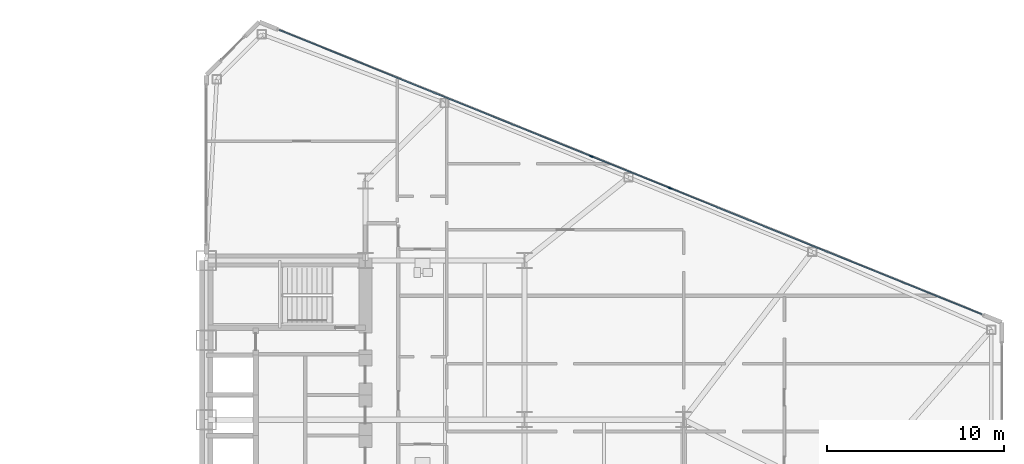
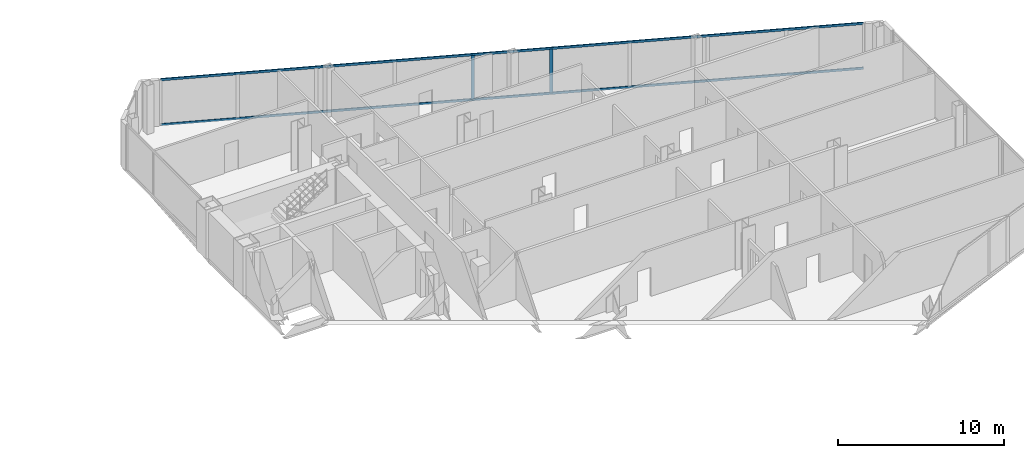
# One storey, part 12 of 25: 4 members, 1 element without a shape of its own.
"""IFC4 building model written with IfcOpenShell, lengths in metres."""

from ifc_helpers import new_model, si_unit, direction, frame, origin, origin_2d, place, context, subcontext, project, spatial, rectangle, extrude, source, transform, mapped, material, layer, layer_set, material_profile, profile_set, type_object, type_shapes, element, aggregate, save


model = new_model("IFC4")

# Units and contexts
model_context = context("Model", 3, precision=1e-05, world=origin(), true_north=direction((0.0, 1.0)))
body_context = subcontext(model_context, "Body", "Model", "MODEL_VIEW")
ifc_project = project(units=[si_unit("LENGTHUNIT", "METRE"), si_unit("AREAUNIT", "SQUARE_METRE"), si_unit("VOLUMEUNIT", "CUBIC_METRE"), si_unit("PLANEANGLEUNIT", "RADIAN"), si_unit("MASSUNIT", "GRAM", prefix="KILO")], contexts=[model_context])

# Site, building, storey
site_placement = place(None, origin())
site = spatial("IfcSite", under=ifc_project, at=site_placement, CompositionType="ELEMENT")
building_placement = place(site_placement, origin())
building = spatial("IfcBuilding", under=site, at=building_placement, Name="Seokmaru Belvedere", CompositionType="ELEMENT")
storey_placement = place(building_placement, frame((0.0, 0.0, 36.89990234375)))
storey = spatial("IfcBuildingStorey", under=building, at=storey_placement, Name="L09", CompositionType="ELEMENT", Elevation=36.89990234375)

# Curtain wall, members
ifc_material_1 = material(Name="Bronze Triple Insulating Glass", Category="glass")
ifc_layer = layer(ifc_material_1, 0.2099609375)
ifc_layer_set = layer_set([ifc_layer], Name="Bronze Triple Insulating Glass")
curtain_wall_type = type_object("IfcCurtainWallType", Name="Low-Rise Faceted Crystal Curtain Wall System CW-2", PredefinedType="NOTDEFINED", material=ifc_layer_set)
curtain_wall_placement = place(storey_placement, origin())
curtain_wall = element("IfcCurtainWall", 1, at=curtain_wall_placement, inside=storey, type_object=curtain_wall_type, Name="L09 Curtain Wall EF3", PredefinedType="NOTDEFINED")
ifc_material_2 = material(Name="Anodised Bronze Aluminium", Category="aluminium")
ifc_material_profile_1 = material_profile(ifc_material_2, rectangle(XDim=0.074951171875, YDim=0.2099609375, at=origin_2d()), Name="CW-M-75x210")
ifc_profile_set_1 = profile_set([ifc_material_profile_1], Name="Anodised Bronze Aluminium")
member_type_1 = type_object("IfcMemberType", Name="Bronze Unitised Mullion 75x210", PredefinedType="MULLION", material=ifc_profile_set_1)
shared_shape_1 = source(origin(), body_context, "Body", "SweptSolid", [
    extrude(rectangle(XDim=0.074951171875, YDim=0.2099609375, at=origin_2d()), origin(), (0.0, 0.0, 1.0), 3.239990234375),
])
type_shapes(member_type_1, [shared_shape_1])
member_1_placement = place(storey_placement, frame((53.71484375, 17.603515625, 0.070068359375), z_axis=(0.0, 0.0, 1.0), x_axis=(-0.375192321888, -0.926946989637, 0.0)))
member_1 = element("IfcMember", 2, at=member_1_placement, type_object=member_type_1, Name="CW:L09:EF3 Mullion 5", PredefinedType="MULLION", context=body_context, shape_type="MappedRepresentation", body=[
    mapped(shared_shape_1, transform((0.0, 0.0, 0.0), scale=1.0)),
])
member_2_placement = place(storey_placement, frame((49.28515625, 19.396484375, 0.070068359375), z_axis=(0.0, 0.0, 1.0), x_axis=(-0.375192321888, -0.926946989637, 0.0)))
member_2 = element("IfcMember", 3, at=member_2_placement, type_object=member_type_1, Name="CW:L09:EF3 Mullion 6", PredefinedType="MULLION", context=body_context, shape_type="MappedRepresentation", body=[
    mapped(shared_shape_1, transform((0.0, 0.0, 0.0), scale=1.0)),
])
ifc_material_profile_2 = material_profile(ifc_material_2, rectangle(XDim=0.070068359375, YDim=0.1650390625, at=origin_2d()), Name="CW-T-70x165")
ifc_profile_set_2 = profile_set([ifc_material_profile_2], Name="Anodised Bronze Aluminium")
member_type_2 = type_object("IfcMemberType", Name="Bronze Unitised Transom 70x165", PredefinedType="USERDEFINED", material=ifc_profile_set_2)
shared_shape_2 = source(origin(), body_context, "Body", "SweptSolid", [
    extrude(rectangle(XDim=0.070068359375, YDim=0.1650390625, at=origin_2d()), origin(), (0.0, 0.0, 1.0), 42.860107421875),
])
type_shapes(member_type_2, [shared_shape_2])
member_3_placement = place(storey_placement, frame((71.364501953125, 10.459716796875, 0.03515625), z_axis=(-0.926948605599, 0.375188329481, 0.0), x_axis=(-0.375188329481, -0.926948605599, 0.0)))
member_3 = element("IfcMember", 4, at=member_3_placement, type_object=member_type_2, Name="CW:L09:EF3 Continuous Transom 1", ObjectType="TRANSOM", PredefinedType="USERDEFINED", context=body_context, shape_type="MappedRepresentation", body=[
    mapped(shared_shape_2, transform((0.0, 0.0, 0.0), scale=1.0)),
])
member_4_placement = place(storey_placement, frame((71.364501953125, 10.459716796875, 3.34521484375), z_axis=(-0.926948605599, 0.375188329481, 0.0), x_axis=(-0.375188329481, -0.926948605599, 0.0)))
member_4 = element("IfcMember", 5, at=member_4_placement, type_object=member_type_2, Name="CW:L09:EF3 Continuous Transom 2", ObjectType="TRANSOM", PredefinedType="USERDEFINED", context=body_context, shape_type="MappedRepresentation", body=[
    mapped(shared_shape_2, transform((0.0, 0.0, 0.0), scale=1.0)),
])
aggregate(curtain_wall, [member_1, member_2, member_3, member_4])

save(model, "model.ifc")
